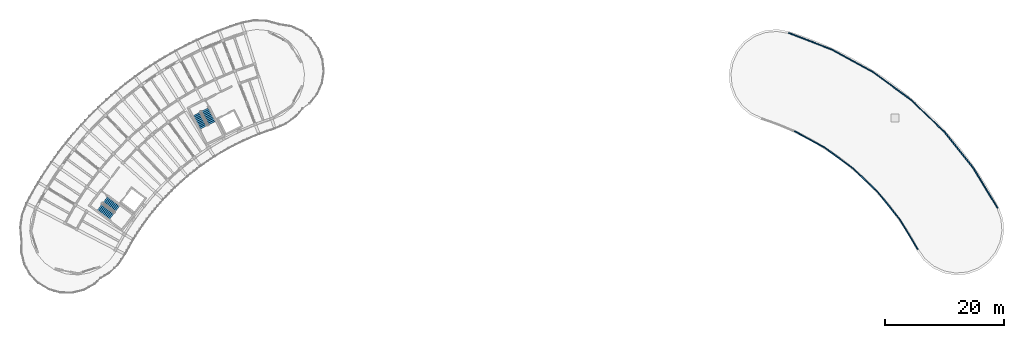
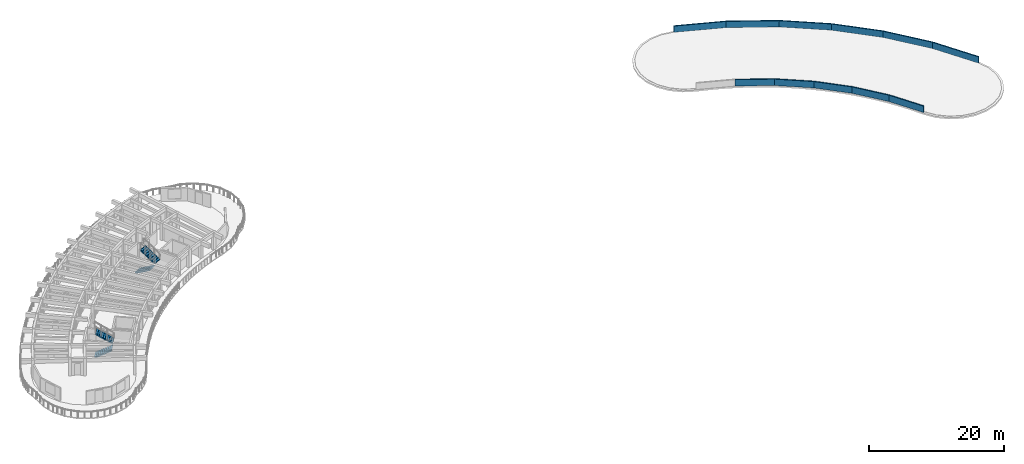
# One storey, part 13 of 19: 11 walls, 4 stair flights, 2 elements without a shape of their own.
"""IFC4 building model written with IfcOpenShell, lengths in metres."""

from ifc_helpers import new_model, si_unit, direction, frame, frame_2d, origin, place, context, subcontext, project, spatial, polyline, rectangle, outline, extrude, material, layer, layer_set, type_object, element, aggregate, save


model = new_model("IFC4")

# Units and contexts
model_context = context("Model", 3, precision=1e-05, world=origin(), true_north=direction((0.0, 1.0)))
body_context = subcontext(model_context, "Body", "Model", "MODEL_VIEW")
ifc_project = project(units=[si_unit("LENGTHUNIT", "METRE"), si_unit("AREAUNIT", "SQUARE_METRE"), si_unit("VOLUMEUNIT", "CUBIC_METRE"), si_unit("PLANEANGLEUNIT", "RADIAN"), si_unit("MASSUNIT", "GRAM", prefix="KILO")], contexts=[model_context])

# Site, building, storey
site_placement = place(None, origin())
site = spatial("IfcSite", under=ifc_project, at=site_placement, CompositionType="ELEMENT")
building_placement = place(site_placement, origin())
building = spatial("IfcBuilding", under=site, at=building_placement, Name="Tanwirah Colonnade Gardens", CompositionType="ELEMENT")
storey_placement = place(building_placement, frame((0.0, 0.0, 45.800048828125)))
storey = spatial("IfcBuildingStorey", under=building, at=storey_placement, Name="L13", CompositionType="ELEMENT", Elevation=45.800048828125)

# Walls
ifc_material_1 = material(Name="White architectural precast concrete C40/50", Category="concrete")
ifc_layer_1 = layer(ifc_material_1, 0.18994140625)
ifc_layer_set_1 = layer_set([ifc_layer_1], Name="White architectural precast concrete C40/50")
wall_type = type_object("IfcWallType", Name="EW-PAR190", PredefinedType="PARAPET", material=ifc_layer_set_1)
wall_1_placement = place(storey_placement, frame((173.9013671875, 87.54345703125, 0.0), z_axis=(0.0, 0.0, 1.0), x_axis=(-0.516717659636, 0.856155862107, 0.0)))
element("IfcWall", 1, at=wall_1_placement, inside=storey, type_object=wall_type, Name="Block B Roof Cornice Parapet OUT-0", PredefinedType="PARAPET", context=body_context, shape_type="SweptSolid", body=[
    extrude(rectangle(XDim=7.846923828125, YDim=0.18994140625, at=frame_2d((3.92333984375, 0.0))), origin(), (0.0, 0.0, 1.0), 1.14990234375),
])
wall_2_placement = place(storey_placement, frame((160.487060546875, 80.60986328125, 0.0), z_axis=(0.0, 0.0, 1.0), x_axis=(-0.516682352427, 0.856177170152, 0.0)))
element("IfcWall", 2, at=wall_2_placement, inside=storey, type_object=wall_type, Name="Block B Roof Cornice Parapet IN-0", PredefinedType="PARAPET", context=body_context, shape_type="SweptSolid", body=[
    extrude(rectangle(XDim=5.857421875, YDim=0.18994140625, at=frame_2d((2.9287109375, 0.0))), origin(), (0.0, 0.0, 1.0), 1.14990234375),
])
wall_3_placement = place(storey_placement, frame((169.8466796875, 94.26171875, 0.0), z_axis=(0.0, 0.0, 1.0), x_axis=(-0.624778513512, 0.78080202936, 0.0)))
element("IfcWall", 3, at=wall_3_placement, inside=storey, type_object=wall_type, Name="Block B Roof Cornice Parapet OUT-2", PredefinedType="PARAPET", context=body_context, shape_type="SweptSolid", body=[
    extrude(rectangle(XDim=7.847412109375, YDim=0.18994140625, at=frame_2d((3.923828125, 0.0))), origin(), (0.0, 0.0, 1.0), 1.14990234375),
])
wall_4_placement = place(storey_placement, frame((157.460693359375, 85.624755859375, 0.0), z_axis=(0.0, 0.0, 1.0), x_axis=(-0.624786536438, 0.780795609546, 0.0)))
element("IfcWall", 4, at=wall_4_placement, inside=storey, type_object=wall_type, Name="Block B Roof Cornice Parapet IN-2", PredefinedType="PARAPET", context=body_context, shape_type="SweptSolid", body=[
    extrude(rectangle(XDim=5.857421875, YDim=0.18994140625, at=frame_2d((2.9287109375, 0.0))), origin(), (0.0, 0.0, 1.0), 1.14990234375),
])
wall_5_placement = place(storey_placement, frame((164.94384765625, 100.388916015625, 0.0), z_axis=(0.0, 0.0, 1.0), x_axis=(-0.72203547804, 0.691856031593, 0.0)))
element("IfcWall", 5, at=wall_5_placement, inside=storey, type_object=wall_type, Name="Block B Roof Cornice Parapet OUT-4", PredefinedType="PARAPET", context=body_context, shape_type="SweptSolid", body=[
    extrude(rectangle(XDim=7.846923828125, YDim=0.18994140625, at=frame_2d((3.92333984375, 0.0))), origin(), (0.0, 0.0, 1.0), 1.14990234375),
])
wall_6_placement = place(storey_placement, frame((153.801025390625, 90.1982421875, 0.0), z_axis=(0.0, 0.0, 1.0), x_axis=(-0.722014232229, 0.691878203485, 0.0)))
element("IfcWall", 6, at=wall_6_placement, inside=storey, type_object=wall_type, Name="Block B Roof Cornice Parapet IN-4", PredefinedType="PARAPET", context=body_context, shape_type="SweptSolid", body=[
    extrude(rectangle(XDim=5.857177734375, YDim=0.18994140625, at=frame_2d((2.9287109375, 0.0))), origin(), (0.0, 0.0, 1.0), 1.14990234375),
])
wall_7_placement = place(storey_placement, frame((159.278076171875, 105.81787109375, 0.0), z_axis=(0.0, 0.0, 1.0), x_axis=(-0.806721390488, 0.590931974197, 0.0)))
element("IfcWall", 7, at=wall_7_placement, inside=storey, type_object=wall_type, Name="Block B Roof Cornice Parapet OUT-6", PredefinedType="PARAPET", context=body_context, shape_type="SweptSolid", body=[
    extrude(rectangle(XDim=7.84716796875, YDim=0.18994140625, at=frame_2d((3.923583984375, 0.0))), origin(), (0.0, 0.0, 1.0), 1.14990234375),
])
wall_8_placement = place(storey_placement, frame((149.572021484375, 94.250732421875, 0.0), z_axis=(0.0, 0.0, 1.0), x_axis=(-0.806736149109, 0.590911825674, 0.0)))
element("IfcWall", 8, at=wall_8_placement, inside=storey, type_object=wall_type, Name="Block B Roof Cornice Parapet IN-6", PredefinedType="PARAPET", context=body_context, shape_type="SweptSolid", body=[
    extrude(rectangle(XDim=5.857421875, YDim=0.18994140625, at=frame_2d((2.9287109375, 0.0))), origin(), (0.0, 0.0, 1.0), 1.14990234375),
])
wall_9_placement = place(storey_placement, frame((152.947509765625, 110.455078125, 0.0), z_axis=(0.0, 0.0, 1.0), x_axis=(-0.877436209985, 0.479693336839, 0.0)))
element("IfcWall", 9, at=wall_9_placement, inside=storey, type_object=wall_type, Name="Block B Roof Cornice Parapet OUT-8", PredefinedType="PARAPET", context=body_context, shape_type="SweptSolid", body=[
    extrude(rectangle(XDim=7.846923828125, YDim=0.18994140625, at=frame_2d((3.92333984375, 0.0))), origin(), (0.0, 0.0, 1.0), 1.14990234375),
])
wall_10_placement = place(storey_placement, frame((144.8466796875, 97.7119140625, 0.0), z_axis=(0.0, 0.0, 1.0), x_axis=(-0.877428434011, 0.47970756007, 0.0)))
element("IfcWall", 10, at=wall_10_placement, inside=storey, type_object=wall_type, Name="Block B Roof Cornice Parapet IN-8", PredefinedType="PARAPET", context=body_context, shape_type="SweptSolid", body=[
    extrude(rectangle(XDim=5.857421875, YDim=0.18994140625, at=frame_2d((2.9287109375, 0.0))), origin(), (0.0, 0.0, 1.0), 1.14990234375),
])
wall_11_placement = place(storey_placement, frame((146.062255859375, 114.21923828125, 0.0), z_axis=(0.0, 0.0, 1.0), x_axis=(-0.932882969955, 0.36017962792, 0.0)))
element("IfcWall", 11, at=wall_11_placement, inside=storey, type_object=wall_type, Name="Block B Roof Cornice Parapet OUT-10", PredefinedType="PARAPET", context=body_context, shape_type="SweptSolid", body=[
    extrude(rectangle(XDim=7.84716796875, YDim=0.18994140625, at=frame_2d((3.923583984375, 0.0))), origin(), (0.0, 0.0, 1.0), 1.14990234375),
])

# Stair, stair flights
ifc_material_2 = material(Name="Precast concrete C40/50", Category="concrete")
stair_type = type_object("IfcStairType", Name="ST-RES168", PredefinedType="HALF_TURN_STAIR", material=ifc_material_2)
stair_1_placement = place(storey_placement, origin())
stair_1 = element("IfcStair", 12, at=stair_1_placement, inside=storey, type_object=stair_type, Name="L13 Block A Core 1 Exit Stair", PredefinedType="HALF_TURN_STAIR")
ifc_layer_2 = layer(ifc_material_2, 0.14990234375)
ifc_layer_set_2 = layer_set([ifc_layer_2], Name="Precast concrete C40/50")
stair_flight_type = type_object("IfcStairFlightType", Name="FLT-RES150", PredefinedType="STRAIGHT", material=ifc_layer_set_2)
stair_flight_1_placement = place(storey_placement, frame((39.148681640625, 103.425048828125, 0.0), z_axis=(0.0, 0.0, 1.0), x_axis=(0.45399049974, -0.891006524188, 0.0)))
stair_flight_1 = element("IfcStairFlight", 13, at=stair_flight_1_placement, type_object=stair_flight_type, Name="ST-A1 flight 1", NumberOfRisers=10, NumberOfTreads=9, PredefinedType="STRAIGHT", RiserHeight=0.168, TreadLength=0.285, context=body_context, shape_type="SweptSolid", body=[
    extrude(outline(polyline([(-0.0048828125, 0.0), (0.0, 0.16796875), (0.284912109375, 0.16796875), (0.284912109375, 0.3359375), (0.570068359375, 0.3359375), (0.570068359375, 0.50390625), (0.85498046875, 0.50390625), (0.85498046875, 0.672119140625), (1.139892578125, 0.672119140625), (1.139892578125, 0.840087890625), (1.425048828125, 0.840087890625), (1.425048828125, 1.008056640625), (1.7099609375, 1.008056640625), (1.7099609375, 1.176025390625), (1.9951171875, 1.176025390625), (1.9951171875, 1.343994140625), (2.280029296875, 1.343994140625), (2.280029296875, 1.511962890625), (2.56494140625, 1.511962890625), (2.570068359375, 1.679931640625), (2.570068359375, 1.337890625), (0.30029296875, 0.0), (-0.0048828125, 0.0)])), frame((0.0, 0.68994140625, 0.0), z_axis=(0.0, -1.0, 0.0), x_axis=(1.0, 0.0, 0.0)), (0.0, 0.0, 1.0), 1.3798828125),
])
stair_flight_2_placement = place(storey_placement, frame((41.685302734375, 101.838623046875, 1.679931640625), z_axis=(0.0, 0.0, 1.0), x_axis=(-0.45399049974, 0.891006524188, 0.0)))
stair_flight_2 = element("IfcStairFlight", 14, at=stair_flight_2_placement, type_object=stair_flight_type, Name="ST-A1 flight 2", NumberOfRisers=10, NumberOfTreads=9, PredefinedType="STRAIGHT", RiserHeight=0.168, TreadLength=0.285, context=body_context, shape_type="SweptSolid", body=[
    extrude(outline(polyline([(-0.0048828125, 0.0), (0.0, 0.16796875), (0.284912109375, 0.16796875), (0.284912109375, 0.3359375), (0.570068359375, 0.3359375), (0.570068359375, 0.50390625), (0.85498046875, 0.50390625), (0.85498046875, 0.672119140625), (1.139892578125, 0.672119140625), (1.139892578125, 0.840087890625), (1.425048828125, 0.840087890625), (1.425048828125, 1.008056640625), (1.7099609375, 1.008056640625), (1.7099609375, 1.176025390625), (1.9951171875, 1.176025390625), (1.9951171875, 1.343994140625), (2.280029296875, 1.343994140625), (2.280029296875, 1.511962890625), (2.56494140625, 1.511962890625), (2.570068359375, 1.679931640625), (2.570068359375, 1.337890625), (0.30029296875, 0.0), (-0.0048828125, 0.0)])), frame((0.0, 0.68994140625, 0.0), z_axis=(0.0, -1.0, 0.0), x_axis=(1.0, 0.0, 0.0)), (0.0, 0.0, 1.0), 1.3798828125),
])
aggregate(stair_1, [stair_flight_1, stair_flight_2])

stair_2_placement = place(storey_placement, origin())
stair_2 = element("IfcStair", 15, at=stair_2_placement, inside=storey, type_object=stair_type, Name="L13 Block A Core 2 Exit Stair", PredefinedType="HALF_TURN_STAIR")
stair_flight_3_placement = place(storey_placement, frame((22.81640625, 87.7177734375, 0.0), z_axis=(0.0, 0.0, 1.0), x_axis=(0.798635510047, -0.601815023152, 0.0)))
stair_flight_3 = element("IfcStairFlight", 16, at=stair_flight_3_placement, type_object=stair_flight_type, Name="ST-A2 flight 1", NumberOfRisers=10, NumberOfTreads=9, PredefinedType="STRAIGHT", RiserHeight=0.168, TreadLength=0.285, context=body_context, shape_type="SweptSolid", body=[
    extrude(outline(polyline([(-0.0048828125, 0.0), (0.0, 0.16796875), (0.284912109375, 0.16796875), (0.284912109375, 0.3359375), (0.570068359375, 0.3359375), (0.570068359375, 0.50390625), (0.85498046875, 0.50390625), (0.85498046875, 0.672119140625), (1.139892578125, 0.672119140625), (1.139892578125, 0.840087890625), (1.425048828125, 0.840087890625), (1.425048828125, 1.008056640625), (1.7099609375, 1.008056640625), (1.7099609375, 1.176025390625), (1.9951171875, 1.176025390625), (1.9951171875, 1.343994140625), (2.280029296875, 1.343994140625), (2.280029296875, 1.511962890625), (2.56494140625, 1.511962890625), (2.570068359375, 1.679931640625), (2.570068359375, 1.337890625), (0.30029296875, 0.0), (-0.0048828125, 0.0)])), frame((0.0, 0.68994140625, 0.0), z_axis=(0.0, -1.0, 0.0), x_axis=(1.0, 0.0, 0.0)), (0.0, 0.0, 1.0), 1.3798828125),
])
stair_flight_4_placement = place(storey_placement, frame((25.791748046875, 87.404052734375, 1.679931640625), z_axis=(0.0, 0.0, 1.0), x_axis=(-0.798635510047, 0.601815023152, 0.0)))
stair_flight_4 = element("IfcStairFlight", 17, at=stair_flight_4_placement, type_object=stair_flight_type, Name="ST-A2 flight 2", NumberOfRisers=10, NumberOfTreads=9, PredefinedType="STRAIGHT", RiserHeight=0.168, TreadLength=0.285, context=body_context, shape_type="SweptSolid", body=[
    extrude(outline(polyline([(-0.0048828125, 0.0), (0.0, 0.16796875), (0.284912109375, 0.16796875), (0.284912109375, 0.3359375), (0.570068359375, 0.3359375), (0.570068359375, 0.50390625), (0.85498046875, 0.50390625), (0.85498046875, 0.672119140625), (1.139892578125, 0.672119140625), (1.139892578125, 0.840087890625), (1.425048828125, 0.840087890625), (1.425048828125, 1.008056640625), (1.7099609375, 1.008056640625), (1.7099609375, 1.176025390625), (1.9951171875, 1.176025390625), (1.9951171875, 1.343994140625), (2.280029296875, 1.343994140625), (2.280029296875, 1.511962890625), (2.56494140625, 1.511962890625), (2.570068359375, 1.679931640625), (2.570068359375, 1.337890625), (0.30029296875, 0.0), (-0.0048828125, 0.0)])), frame((0.0, 0.68994140625, 0.0), z_axis=(0.0, -1.0, 0.0), x_axis=(1.0, 0.0, 0.0)), (0.0, 0.0, 1.0), 1.3798828125),
])
aggregate(stair_2, [stair_flight_3, stair_flight_4])

save(model, "model.ifc")
